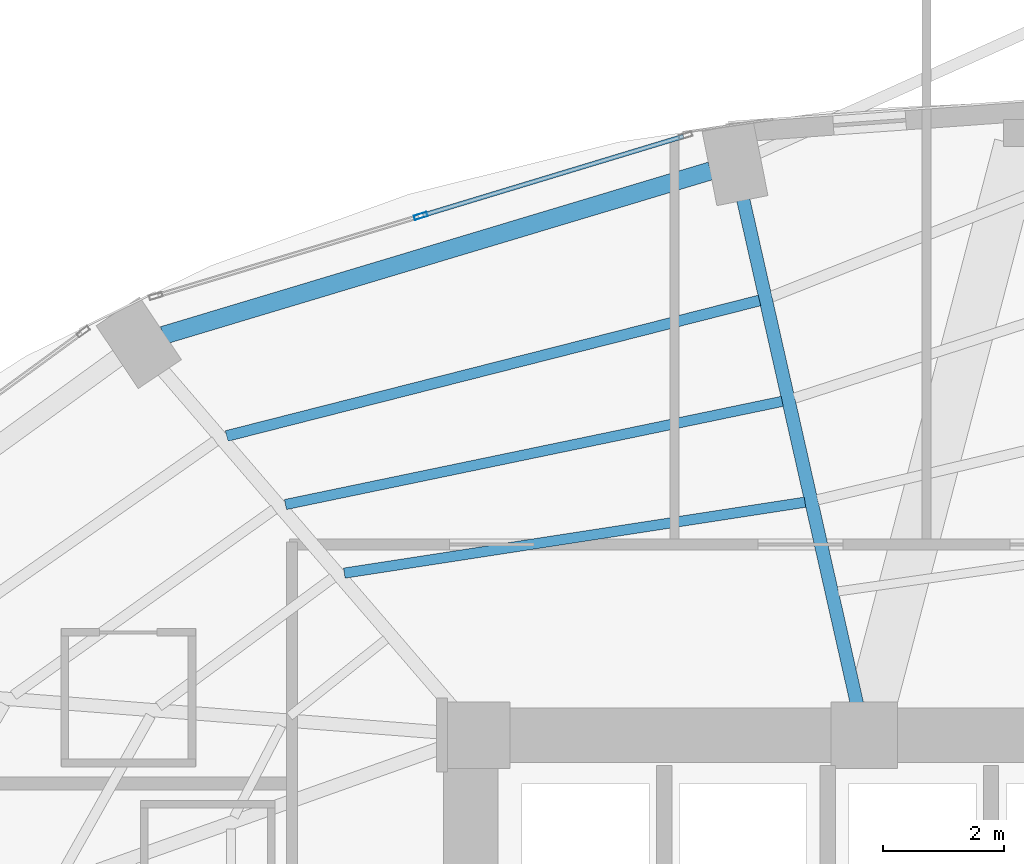
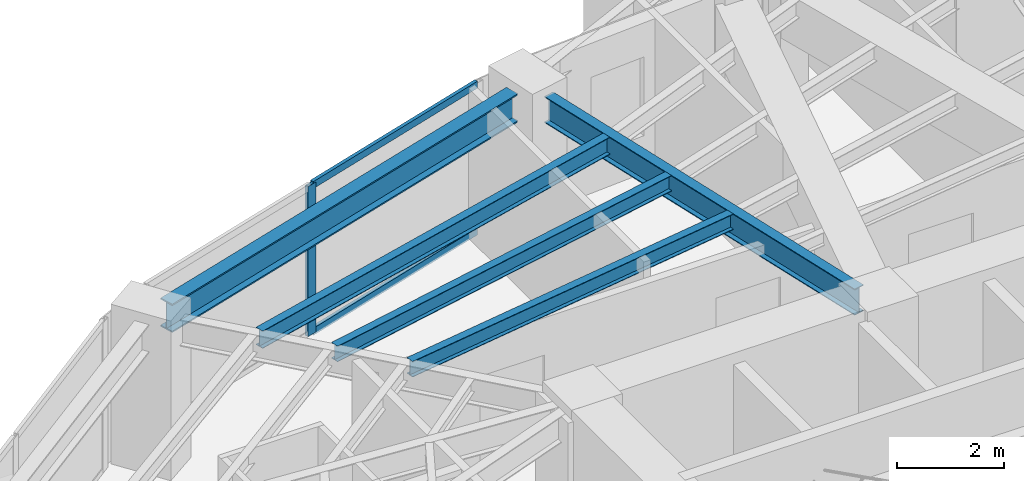
# One storey, part 14 of 25: 5 beams, 3 members, 1 element without a shape of its own.
"""IFC4 building model written with IfcOpenShell, lengths in metres."""

from ifc_helpers import new_model, si_unit, direction, frame, origin, origin_2d, place, context, subcontext, project, spatial, hollow_rectangle, i_section, extrude, material, layer, layer_set, material_profile, profile_set, type_object, element, aggregate, save


model = new_model("IFC4")

# Units and contexts
model_context = context("Model", 3, precision=1e-05, world=origin(), true_north=direction((0.0, 1.0)))
body_context = subcontext(model_context, "Body", "Model", "MODEL_VIEW")
ifc_project = project(units=[si_unit("LENGTHUNIT", "METRE"), si_unit("AREAUNIT", "SQUARE_METRE"), si_unit("VOLUMEUNIT", "CUBIC_METRE"), si_unit("PLANEANGLEUNIT", "RADIAN"), si_unit("MASSUNIT", "GRAM", prefix="KILO")], contexts=[model_context])

# Site, building, storey
site_placement = place(None, origin())
site = spatial("IfcSite", under=ifc_project, at=site_placement, CompositionType="ELEMENT")
building_placement = place(site_placement, origin())
building = spatial("IfcBuilding", under=site, at=building_placement, Name="Lazwardi Medical Tower", CompositionType="ELEMENT")
storey_placement = place(building_placement, frame((0.0, 0.0, 28.847900390625)))
storey = spatial("IfcBuildingStorey", under=building, at=storey_placement, Name="L06", CompositionType="ELEMENT", Elevation=28.847900390625)

# Beams
ifc_material_1 = material(Name="Steel S355", Category="steel")
ifc_material_profile_1 = material_profile(ifc_material_1, i_section(OverallWidth=0.300048828125, OverallDepth=0.64990234375, WebThickness=0.01611328125, FlangeThickness=0.031005859375, at=origin_2d()), Name="HEB 650")
ifc_profile_set_1 = profile_set([ifc_material_profile_1], Name="Steel S355")
beam_type_1 = type_object("IfcBeamType", Name="BM-RB-Z1", PredefinedType="BEAM", material=ifc_profile_set_1)
beam_1_placement = place(storey_placement, frame((30.26708984375, 44.923095703125, 3.10302734375), z_axis=(-0.957695289269, -0.287784177662, 0.0), x_axis=(0.287784177662, -0.957695289269, 0.0)))
element("IfcBeam", 1, at=beam_1_placement, inside=storey, type_object=beam_type_1, Name="Ring beam RB-02 B09 L06", PredefinedType="BEAM", context=body_context, shape_type="SweptSolid", body=[
    extrude(i_section(OverallWidth=0.300048828125, OverallDepth=0.64990234375, WebThickness=0.01611328125, FlangeThickness=0.031005859375, at=origin_2d()), origin(), (0.0, 0.0, 1.0), 9.445556640625),
])
ifc_material_profile_2 = material_profile(ifc_material_1, i_section(OverallWidth=0.219970703125, OverallDepth=0.60009765625, WebThickness=0.011962890625, FlangeThickness=0.01904296875, at=origin_2d()), Name="IPE 600")
ifc_profile_set_2 = profile_set([ifc_material_profile_2], Name="Steel S355")
beam_type_2 = type_object("IfcBeamType", Name="BM-RG-W1", PredefinedType="BEAM", material=ifc_profile_set_2)
beam_2_placement = place(storey_placement, frame((30.796875, 44.478271484375, 3.128173828125), z_axis=(0.22010079219, -0.975477135189, 0.0), x_axis=(0.975477135189, 0.22010079219, 0.0)))
element("IfcBeam", 2, at=beam_2_placement, inside=storey, type_object=beam_type_2, Name="Radial girder RG-02 R09 L06", PredefinedType="BEAM", context=body_context, shape_type="SweptSolid", body=[
    extrude(i_section(OverallWidth=0.219970703125, OverallDepth=0.60009765625, WebThickness=0.011962890625, FlangeThickness=0.01904296875, at=origin_2d()), origin(), (0.0, 0.0, 1.0), 8.56640625),
])
ifc_material_profile_3 = material_profile(ifc_material_1, i_section(OverallWidth=0.179931640625, OverallDepth=0.39990234375, WebThickness=0.008544921875, FlangeThickness=0.013427734375, at=origin_2d()), Name="IPE 400")
ifc_profile_set_3 = profile_set([ifc_material_profile_3], Name="Steel S355")
beam_type_3 = type_object("IfcBeamType", Name="BM-SJ-01", PredefinedType="JOIST", material=ifc_profile_set_3)
beam_3_placement = place(storey_placement, frame((31.072265625, 42.781005859375, 3.22802734375), z_axis=(-0.969151012048, -0.246467677081, 0.0), x_axis=(0.246467677081, -0.969151012048, 0.0)))
element("IfcBeam", 3, at=beam_3_placement, inside=storey, type_object=beam_type_3, Name="Secondary joist SJ-01 R1 B09 L06", PredefinedType="JOIST", context=body_context, shape_type="SweptSolid", body=[
    extrude(i_section(OverallWidth=0.179931640625, OverallDepth=0.39990234375, WebThickness=0.008544921875, FlangeThickness=0.013427734375, at=origin_2d()), origin(), (0.0, 0.0, 1.0), 9.08251953125),
])
ifc_material_profile_4 = material_profile(ifc_material_1, i_section(OverallWidth=0.169921875, OverallDepth=0.360107421875, WebThickness=0.008056640625, FlangeThickness=0.0126953125, at=origin_2d()), Name="IPE 360")
ifc_profile_set_4 = profile_set([ifc_material_profile_4], Name="Steel S355")
beam_type_4 = type_object("IfcBeamType", Name="BM-SJ-02", PredefinedType="JOIST", material=ifc_profile_set_4)
beam_4_placement = place(storey_placement, frame((31.4482421875, 41.114501953125, 3.248046875), z_axis=(-0.979107693723, -0.203342381445, 0.0), x_axis=(0.203342381445, -0.979107693723, 0.0)))
element("IfcBeam", 4, at=beam_4_placement, inside=storey, type_object=beam_type_4, Name="Secondary joist SJ-02 R2 B09 L06", PredefinedType="JOIST", context=body_context, shape_type="SweptSolid", body=[
    extrude(i_section(OverallWidth=0.169921875, OverallDepth=0.360107421875, WebThickness=0.008056640625, FlangeThickness=0.0126953125, at=origin_2d()), origin(), (0.0, 0.0, 1.0), 8.381591796875),
])
beam_5_placement = place(storey_placement, frame((31.824462890625, 39.448486328125, 3.248046875), z_axis=(-0.988362899594, -0.152114360618, 0.0), x_axis=(0.152114360618, -0.988362899594, 0.0)))
element("IfcBeam", 5, at=beam_5_placement, inside=storey, type_object=beam_type_4, Name="Secondary joist SJ-02 R3 B09 L06", PredefinedType="JOIST", context=body_context, shape_type="SweptSolid", body=[
    extrude(i_section(OverallWidth=0.169921875, OverallDepth=0.360107421875, WebThickness=0.008056640625, FlangeThickness=0.0126953125, at=origin_2d()), origin(), (0.0, 0.0, 1.0), 7.70068359375),
])

# Curtain wall, members
ifc_material_2 = material(Name="Anodised bronze aluminium and solar control glazing", Category="aluminium")
ifc_layer = layer(ifc_material_2, 0.199951171875)
ifc_layer_set = layer_set([ifc_layer], Name="Anodised bronze aluminium and solar control glazing")
curtain_wall_type = type_object("IfcCurtainWallType", Name="CW-SYS-02", PredefinedType="NOTDEFINED", material=ifc_layer_set)
curtain_wall_placement = place(storey_placement, origin())
curtain_wall = element("IfcCurtainWall", 6, at=curtain_wall_placement, inside=storey, type_object=curtain_wall_type, Name="L06 Unitised bronze curtain wall CW-02", PredefinedType="NOTDEFINED")
ifc_material_3 = material(Name="Anodised bronze aluminium", Category="aluminium")
ifc_material_profile_5 = material_profile(ifc_material_3, hollow_rectangle(XDim=0.074951171875, YDim=0.219970703125, WallThickness=0.00390625, at=origin_2d()), Name="ALU-MULLION 220x75x4")
ifc_profile_set_5 = profile_set([ifc_material_profile_5], Name="Anodised bronze aluminium")
member_type_1 = type_object("IfcMemberType", Name="CW-MUL-01", PredefinedType="MULLION", material=ifc_profile_set_5)
member_1_placement = place(storey_placement, frame((25.476806640625, 44.178466796875, 0.0), z_axis=(0.0, 0.0, 1.0), x_axis=(0.2898956909, -0.957058247129, 0.0)))
member_1 = element("IfcMember", 7, at=member_1_placement, type_object=member_type_1, Name="CW-02 mullion 2", PredefinedType="MULLION", context=body_context, shape_type="SweptSolid", body=[
    extrude(hollow_rectangle(XDim=0.074951171875, YDim=0.219970703125, WallThickness=0.00390625, at=origin_2d()), origin(), (0.0, 0.0, 1.0), 3.427978515625),
])
ifc_material_profile_6 = material_profile(ifc_material_3, hollow_rectangle(XDim=0.074951171875, YDim=0.159912109375, WallThickness=0.00390625, at=origin_2d()), Name="ALU-TRANSOM 160x75x4")
ifc_profile_set_6 = profile_set([ifc_material_profile_6], Name="Anodised bronze aluminium")
member_type_2 = type_object("IfcMemberType", Name="CW-TRN-01", PredefinedType="USERDEFINED", material=ifc_profile_set_6)
member_2_placement = place(storey_placement, frame((29.816162109375, 45.492919921875, 0.03759765625), z_axis=(-0.957047233423, -0.28993204893, 0.0), x_axis=(0.28993204893, -0.957047233423, 0.0)))
member_2 = element("IfcMember", 8, at=member_2_placement, type_object=member_type_2, Name="CW-02 transom 1.1", ObjectType="TRANSOM", PredefinedType="USERDEFINED", context=body_context, shape_type="SweptSolid", body=[
    extrude(hollow_rectangle(XDim=0.074951171875, YDim=0.159912109375, WallThickness=0.00390625, at=origin_2d()), origin(), (0.0, 0.0, 1.0), 4.49658203125),
])
member_3_placement = place(storey_placement, frame((29.816162109375, 45.492919921875, 3.390625), z_axis=(-0.957047233423, -0.28993204893, 0.0), x_axis=(0.28993204893, -0.957047233423, 0.0)))
member_3 = element("IfcMember", 9, at=member_3_placement, type_object=member_type_2, Name="CW-02 transom 1.2", ObjectType="TRANSOM", PredefinedType="USERDEFINED", context=body_context, shape_type="SweptSolid", body=[
    extrude(hollow_rectangle(XDim=0.074951171875, YDim=0.159912109375, WallThickness=0.00390625, at=origin_2d()), origin(), (0.0, 0.0, 1.0), 4.49658203125),
])
aggregate(curtain_wall, [member_1, member_2, member_3])

save(model, "model.ifc")
